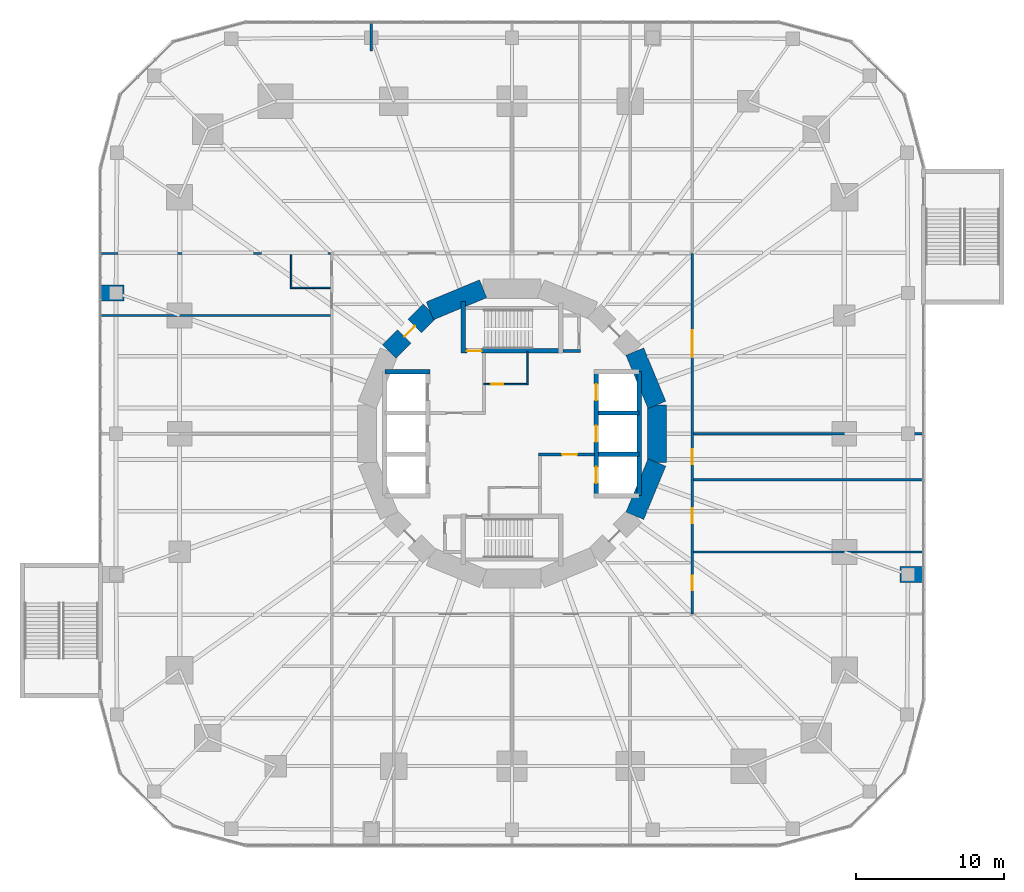
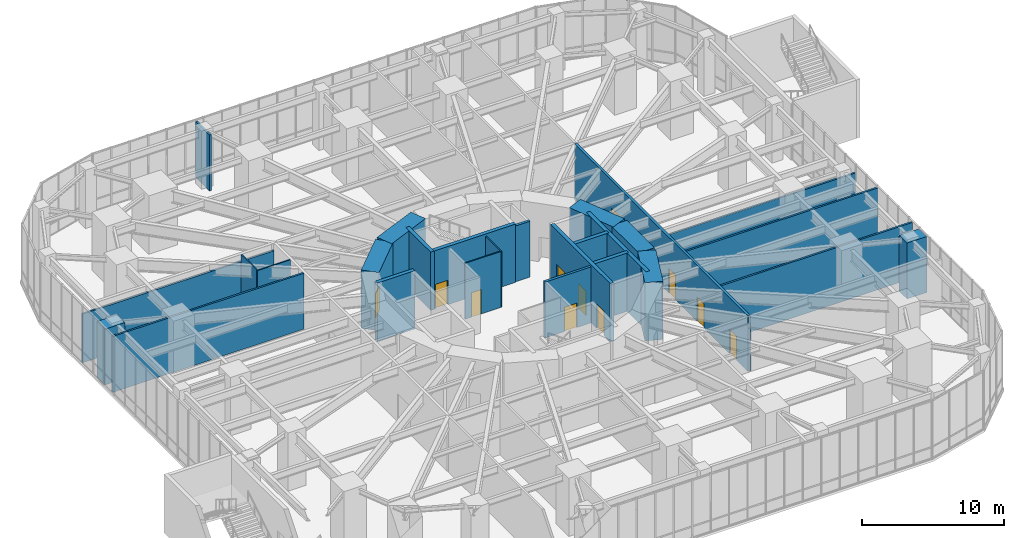
# One storey, part 21 of 24: 27 walls, 11 doors, 11 openings.
"""IFC4 building model written with IfcOpenShell, lengths in metres."""

from ifc_helpers import new_model, si_unit, direction, frame, frame_2d, origin, place, context, subcontext, project, spatial, rectangle, extrude, material, layer, layer_set, type_object, element, fill, save


model = new_model("IFC4")

# Units and contexts
model_context = context("Model", 3, precision=1e-05, world=origin(), true_north=direction((0.0, 1.0)))
body_context = subcontext(model_context, "Body", "Model", "MODEL_VIEW")
ifc_project = project(units=[si_unit("LENGTHUNIT", "METRE"), si_unit("AREAUNIT", "SQUARE_METRE"), si_unit("VOLUMEUNIT", "CUBIC_METRE"), si_unit("PLANEANGLEUNIT", "RADIAN"), si_unit("MASSUNIT", "GRAM", prefix="KILO")], contexts=[model_context])

# Site, building, storey
site_placement = place(None, origin())
site = spatial("IfcSite", under=ifc_project, at=site_placement, CompositionType="ELEMENT")
building_placement = place(site_placement, origin())
building = spatial("IfcBuilding", under=site, at=building_placement, Name="Nakasero Lantern House", CompositionType="ELEMENT")
storey_placement = place(building_placement, frame((0.0, 0.0, 6.0)))
storey = spatial("IfcBuildingStorey", under=building, at=storey_placement, Name="L01", CompositionType="ELEMENT", Elevation=6.0)

# Walls
ifc_material_1 = material(Name="Blockwork", Category="masonry")
ifc_layer_1 = layer(ifc_material_1, 1.10009765625)
ifc_layer_set_1 = layer_set([ifc_layer_1], Name="Column pier 1100")
wall_type_1 = type_object("IfcWallType", Name="Column pier 1100", PredefinedType="PARTITIONING", material=ifc_layer_set_1)
for number, where, z_axis, x_axis, name in (
    (1, (26.25, -9.52880859375, 0.0), (0.0, 0.0, 1.0), (1.0, 0.0, 0.0), "Column pier L01 PN0-00-2"),
    (2, (-26.25, 9.52880859375, 0.0), (0.0, 0.0, 1.0), (-1.0, 0.0, 0.0), "Column pier L01 PN2-00-2"),
):
    element("IfcWall", number, at=place(storey_placement, frame(where, z_axis=z_axis, x_axis=x_axis)), inside=storey, type_object=wall_type_1, Name=name, PredefinedType="PARTITIONING", context=body_context, shape_type="SweptSolid", body=[
        extrude(rectangle(XDim=1.60009765625, YDim=1.10009765625, at=frame_2d((0.800048828125, 0.0))), origin(), (0.0, 0.0, 1.0), 4.800048828125),
    ])

# Wall, openings, doors
ifc_material_2 = material(Name="Concrete C50/60", Category="concrete")
ifc_layer_2 = layer(ifc_material_2, 0.300048828125)
ifc_layer_set_2 = layer_set([ifc_layer_2], Name="Core inner wall 300")
wall_type_2 = type_object("IfcWallType", Name="Core inner wall 300", PredefinedType="SHEAR", material=ifc_layer_set_2)
wall_1_placement = place(storey_placement, frame((5.699951171875, -4.199951171875, 0.0), z_axis=(0.0, 0.0, 1.0), x_axis=(0.0, 1.0, 0.0)))
wall_1 = element("IfcWall", 3, at=wall_1_placement, inside=storey, type_object=wall_type_2, Name="Core inner wall L01 LE", PredefinedType="SHEAR", context=body_context, shape_type="SweptSolid", body=[
    extrude(rectangle(XDim=8.39990234375, YDim=0.300048828125, at=frame_2d((4.199951171875, 0.0))), origin(), (0.0, 0.0, 1.0), 5.0),
])
opening_1_placement = place(wall_1_placement, frame((0.85009765625, 0.0, 0.0)))
opening_1 = element("IfcOpeningElement", 4, at=opening_1_placement, cuts=wall_1, Name="Opening LD", PredefinedType="OPENING", context=body_context, shape_type="SweptSolid", body=[
    extrude(rectangle(XDim=1.10009765625, YDim=2.10009765625, at=frame_2d((0.550048828125, 1.050048828125))), frame((0.0, 0.169921875, 0.0), z_axis=(0.0, -1.0, 0.0), x_axis=(1.0, 0.0, 0.0)), (0.0, 0.0, 1.0), 0.340087890625),
])
opening_2_placement = place(wall_1_placement, frame((3.64990234375, 0.0, 0.0)))
opening_2 = element("IfcOpeningElement", 5, at=opening_2_placement, cuts=wall_1, Name="Opening LD", PredefinedType="OPENING", context=body_context, shape_type="SweptSolid", body=[
    extrude(rectangle(XDim=1.10009765625, YDim=2.10009765625, at=frame_2d((0.550048828125, 1.050048828125))), frame((0.0, 0.169921875, 0.0), z_axis=(0.0, -1.0, 0.0), x_axis=(1.0, 0.0, 0.0)), (0.0, 0.0, 1.0), 0.340087890625),
])
opening_3_placement = place(wall_1_placement, frame((6.449951171875, 0.0, 0.0)))
opening_3 = element("IfcOpeningElement", 6, at=opening_3_placement, cuts=wall_1, Name="Opening LD", PredefinedType="OPENING", context=body_context, shape_type="SweptSolid", body=[
    extrude(rectangle(XDim=1.10009765625, YDim=2.10009765625, at=frame_2d((0.550048828125, 1.050048828125))), frame((0.0, 0.169921875, 0.0), z_axis=(0.0, -1.0, 0.0), x_axis=(1.0, 0.0, 0.0)), (0.0, 0.0, 1.0), 0.340087890625),
])
ifc_material_3 = material(Name="Steel S355", Category="steel")
door_type_1 = type_object("IfcDoorType", Name="Lift landing door E120 1100", OperationType="SLIDING_TO_LEFT", PredefinedType="DOOR", material=ifc_material_3)
door_1_placement = place(opening_1_placement, origin())
door_1 = element("IfcDoor", 7, at=door_1_placement, inside=storey, type_object=door_type_1, Name="Lift landing door LE1", OperationType="SLIDING_TO_LEFT", OverallHeight=2.10009765625, OverallWidth=1.10009765625, PredefinedType="DOOR", context=body_context, shape_type="SweptSolid", body=[
    extrude(rectangle(XDim=1.10009765625, YDim=2.10009765625, at=frame_2d((0.550048828125, 1.050048828125))), frame((0.0, 0.02490234375, 0.0), z_axis=(0.0, -1.0, 0.0), x_axis=(1.0, 0.0, 0.0)), (0.0, 0.0, 1.0), 0.050048828125),
])
fill(opening_1, door_1)
door_2_placement = place(opening_2_placement, origin())
door_2 = element("IfcDoor", 8, at=door_2_placement, inside=storey, type_object=door_type_1, Name="Lift landing door LE2", OperationType="SLIDING_TO_LEFT", OverallHeight=2.10009765625, OverallWidth=1.10009765625, PredefinedType="DOOR", context=body_context, shape_type="SweptSolid", body=[
    extrude(rectangle(XDim=1.10009765625, YDim=2.10009765625, at=frame_2d((0.550048828125, 1.050048828125))), frame((0.0, 0.02490234375, 0.0), z_axis=(0.0, -1.0, 0.0), x_axis=(1.0, 0.0, 0.0)), (0.0, 0.0, 1.0), 0.050048828125),
])
fill(opening_2, door_2)
door_3_placement = place(opening_3_placement, origin())
door_3 = element("IfcDoor", 9, at=door_3_placement, inside=storey, type_object=door_type_1, Name="Lift landing door LE3", OperationType="SLIDING_TO_LEFT", OverallHeight=2.10009765625, OverallWidth=1.10009765625, PredefinedType="DOOR", context=body_context, shape_type="SweptSolid", body=[
    extrude(rectangle(XDim=1.10009765625, YDim=2.10009765625, at=frame_2d((0.550048828125, 1.050048828125))), frame((0.0, 0.02490234375, 0.0), z_axis=(0.0, -1.0, 0.0), x_axis=(1.0, 0.0, 0.0)), (0.0, 0.0, 1.0), 0.050048828125),
])
fill(opening_3, door_3)

# Walls
wall_2_placement = place(storey_placement, frame((-8.60009765625, 4.199951171875, 0.0), z_axis=(0.0, 0.0, 1.0), x_axis=(1.0, 0.0, 0.0)))
element("IfcWall", 10, at=wall_2_placement, inside=storey, type_object=wall_type_2, Name="Core inner wall L01 LWN", PredefinedType="SHEAR", context=body_context, shape_type="SweptSolid", body=[
    extrude(rectangle(XDim=3.050048828125, YDim=0.300048828125, at=frame_2d((1.52490234375, 0.0))), origin(), (0.0, 0.0, 1.0), 5.0),
])
wall_3_placement = place(storey_placement, frame((8.60009765625, -4.199951171875, 0.0), z_axis=(0.0, 0.0, 1.0), x_axis=(0.0, 1.0, 0.0)))
element("IfcWall", 11, at=wall_3_placement, inside=storey, type_object=wall_type_2, Name="Core inner wall L01 LEB", PredefinedType="SHEAR", context=body_context, shape_type="SweptSolid", body=[
    extrude(rectangle(XDim=8.39990234375, YDim=0.300048828125, at=frame_2d((4.199951171875, 0.0))), origin(), (0.0, 0.0, 1.0), 5.0),
])
for number, where, z_axis, x_axis, name in (
    (12, (5.85009765625, -1.39990234375, 0.0), (0.0, 0.0, 1.0), (1.0, 0.0, 0.0), "Core inner wall L01 LE1"),
    (13, (5.85009765625, 1.39990234375, 0.0), (0.0, 0.0, 1.0), (1.0, 0.0, 0.0), "Core inner wall L01 LE2"),
):
    element("IfcWall", number, at=place(storey_placement, frame(where, z_axis=z_axis, x_axis=x_axis)), inside=storey, type_object=wall_type_2, Name=name, PredefinedType="SHEAR", context=body_context, shape_type="SweptSolid", body=[
        extrude(rectangle(XDim=2.75, YDim=0.300048828125, at=frame_2d((1.375, 0.0))), origin(), (0.0, 0.0, 1.0), 5.0),
    ])

# Wall, opening, door
wall_4_placement = place(storey_placement, frame((-3.449951171875, 5.60009765625, 0.0), z_axis=(0.0, 0.0, 1.0), x_axis=(1.0, 0.0, 0.0)))
wall_4 = element("IfcWall", 14, at=wall_4_placement, inside=storey, type_object=wall_type_2, Name="Core inner wall L01 SN", PredefinedType="SHEAR", context=body_context, shape_type="SweptSolid", body=[
    extrude(rectangle(XDim=6.89990234375, YDim=0.300048828125, at=frame_2d((3.449951171875, 0.0))), origin(), (0.0, 0.0, 1.0), 5.0),
])
opening_4_placement = place(wall_4_placement, frame((0.39990234375, 0.0, 0.0)))
opening_4 = element("IfcOpeningElement", 15, at=opening_4_placement, cuts=wall_4, Name="Opening D05", PredefinedType="OPENING", context=body_context, shape_type="SweptSolid", body=[
    extrude(rectangle(XDim=1.0, YDim=2.10009765625, at=frame_2d((0.5, 1.050048828125))), frame((0.0, 0.169921875, 0.0), z_axis=(0.0, -1.0, 0.0), x_axis=(1.0, 0.0, 0.0)), (0.0, 0.0, 1.0), 0.340087890625),
])
ifc_material_4 = material(Name="Timber C24", Category="wood")
door_type_2 = type_object("IfcDoorType", Name="Core door FD60S 1000", OperationType="SINGLE_SWING_LEFT", PredefinedType="DOOR", material=ifc_material_4)
door_4_placement = place(opening_4_placement, origin())
door_4 = element("IfcDoor", 16, at=door_4_placement, inside=storey, type_object=door_type_2, Name="Door L01 D-ST1", OperationType="SINGLE_SWING_LEFT", OverallHeight=2.10009765625, OverallWidth=1.0, PredefinedType="DOOR", context=body_context, shape_type="SweptSolid", body=[
    extrude(rectangle(XDim=1.0, YDim=2.10009765625, at=frame_2d((0.5, 1.050048828125))), frame((0.0, 0.02490234375, 0.0), z_axis=(0.0, -1.0, 0.0), x_axis=(1.0, 0.0, 0.0)), (0.0, 0.0, 1.0), 0.050048828125),
])
fill(opening_4, door_4)

# Wall
wall_5_placement = place(storey_placement, frame((-3.300048828125, 5.449951171875, 0.0), z_axis=(0.0, 0.0, 1.0), x_axis=(0.0, 1.0, 0.0)))
element("IfcWall", 17, at=wall_5_placement, inside=storey, type_object=wall_type_2, Name="Core inner wall L01 SNW", PredefinedType="SHEAR", context=body_context, shape_type="SweptSolid", body=[
    extrude(rectangle(XDim=3.5, YDim=0.300048828125, at=frame_2d((1.75, 0.0))), origin(), (0.0, 0.0, 1.0), 5.0),
])

# Wall, opening, door
ifc_material_5 = material(Name="Blockwork", Category="masonry")
ifc_layer_3 = layer(ifc_material_5, 0.10009765625)
ifc_layer_set_3 = layer_set([ifc_layer_3], Name="Core room wall 100")
wall_type_3 = type_object("IfcWallType", Name="Core room wall 100", PredefinedType="PARTITIONING", material=ifc_layer_set_3)
wall_6_placement = place(storey_placement, frame((-1.89990234375, 3.35009765625, 0.0), z_axis=(0.0, 0.0, 1.0), x_axis=(1.0, 0.0, 0.0)))
wall_6 = element("IfcWall", 18, at=wall_6_placement, inside=storey, type_object=wall_type_3, Name="Core room wall L01 CR-NES", PredefinedType="PARTITIONING", context=body_context, shape_type="SweptSolid", body=[
    extrude(rectangle(XDim=3.0, YDim=0.10009765625, at=frame_2d((1.5, 0.0))), origin(), (0.0, 0.0, 1.0), 4.800048828125),
])
opening_5_placement = place(wall_6_placement, frame((0.5, 0.0, 0.0)))
opening_5 = element("IfcOpeningElement", 19, at=opening_5_placement, cuts=wall_6, Name="Opening D15", PredefinedType="OPENING", context=body_context, shape_type="SweptSolid", body=[
    extrude(rectangle(XDim=0.800048828125, YDim=2.10009765625, at=frame_2d((0.39990234375, 1.050048828125))), frame((0.0, 0.070068359375, 0.0), z_axis=(0.0, -1.0, 0.0), x_axis=(1.0, 0.0, 0.0)), (0.0, 0.0, 1.0), 0.14013671875),
])
ifc_material_6 = material(Name="Timber C24", Category="wood")
door_type_3 = type_object("IfcDoorType", Name="Cleaner's store door FD30S 800", OperationType="SINGLE_SWING_LEFT", PredefinedType="DOOR", material=ifc_material_6)
door_5_placement = place(opening_5_placement, origin())
door_5 = element("IfcDoor", 20, at=door_5_placement, inside=storey, type_object=door_type_3, Name="Door L01 D-CR-NE", OperationType="SINGLE_SWING_LEFT", OverallHeight=2.10009765625, OverallWidth=0.800048828125, PredefinedType="DOOR", context=body_context, shape_type="SweptSolid", body=[
    extrude(rectangle(XDim=0.800048828125, YDim=2.10009765625, at=frame_2d((0.39990234375, 1.050048828125))), frame((0.0, 0.02490234375, 0.0), z_axis=(0.0, -1.0, 0.0), x_axis=(1.0, 0.0, 0.0)), (0.0, 0.0, 1.0), 0.050048828125),
])
fill(opening_5, door_5)

# Walls
wall_7_placement = place(storey_placement, frame((1.050048828125, 3.300048828125, 0.0), z_axis=(0.0, 0.0, 1.0), x_axis=(0.0, 1.0, 0.0)))
element("IfcWall", 21, at=wall_7_placement, inside=storey, type_object=wall_type_3, Name="Core room wall L01 CR-NEE", PredefinedType="PARTITIONING", context=body_context, shape_type="SweptSolid", body=[
    extrude(rectangle(XDim=2.25, YDim=0.10009765625, at=frame_2d((1.125, 0.0))), origin(), (0.0, 0.0, 1.0), 4.800048828125),
])
ifc_material_7 = material(Name="Concrete C50/60", Category="concrete")
ifc_layer_4 = layer(ifc_material_7, 1.300048828125)
ifc_layer_set_4 = layer_set([ifc_layer_4], Name="Core wall 1300")
wall_type_4 = type_object("IfcWallType", Name="Core wall 1300", PredefinedType="SHEAR", material=ifc_layer_set_4)
for number, where, z_axis, x_axis, name in (
    (22, (9.807861328125, 1.950927734375, 0.0), (0.0, 0.0, 1.0), (-0.382690736062, 0.923876507187, 0.0), "Core wall L01 facet 1"),
    (23, (-1.950927734375, 9.807861328125, 0.0), (0.0, 0.0, 1.0), (-0.923876507187, -0.382690736062, 0.0), "Core wall L01 facet 5"),
):
    element("IfcWall", number, at=place(storey_placement, frame(where, z_axis=z_axis, x_axis=x_axis)), inside=storey, type_object=wall_type_4, Name=name, PredefinedType="SHEAR", context=body_context, shape_type="SweptSolid", body=[
        extrude(rectangle(XDim=3.90185546875, YDim=1.300048828125, at=frame_2d((1.950927734375, 0.0))), origin(), (0.0, 0.0, 1.0), 5.0),
    ])

# Wall, opening, door
wall_8_placement = place(storey_placement, frame((-5.5556640625, 8.314697265625, 0.0), z_axis=(0.0, 0.0, 1.0), x_axis=(-0.707106781187, -0.707106781187, 0.0)))
wall_8 = element("IfcWall", 24, at=wall_8_placement, inside=storey, type_object=wall_type_4, Name="Core wall L01 facet 6", PredefinedType="SHEAR", context=body_context, shape_type="SweptSolid", body=[
    extrude(rectangle(XDim=3.90185546875, YDim=1.300048828125, at=frame_2d((1.950927734375, 0.0))), origin(), (0.0, 0.0, 1.0), 5.0),
])
opening_6_placement = place(wall_8_placement, frame((1.450927734375, 0.0, 0.0)))
opening_6 = element("IfcOpeningElement", 25, at=opening_6_placement, cuts=wall_8, Name="Opening D05", PredefinedType="OPENING", context=body_context, shape_type="SweptSolid", body=[
    extrude(rectangle(XDim=1.0, YDim=2.10009765625, at=frame_2d((0.5, 1.050048828125))), frame((0.0, 0.669921875, 0.0), z_axis=(0.0, -1.0, 0.0), x_axis=(1.0, 0.0, 0.0)), (0.0, 0.0, 1.0), 1.340087890625),
])
door_6_placement = place(opening_6_placement, origin())
door_6 = element("IfcDoor", 26, at=door_6_placement, inside=storey, type_object=door_type_2, Name="Door L01 D-CORE06", OperationType="SINGLE_SWING_LEFT", OverallHeight=2.10009765625, OverallWidth=1.0, PredefinedType="DOOR", context=body_context, shape_type="SweptSolid", body=[
    extrude(rectangle(XDim=1.0, YDim=2.10009765625, at=frame_2d((0.5, 1.050048828125))), frame((0.0, 0.02490234375, 0.0), z_axis=(0.0, -1.0, 0.0), x_axis=(1.0, 0.0, 0.0)), (0.0, 0.0, 1.0), 0.050048828125),
])
fill(opening_6, door_6)

# Walls
for number, where, z_axis, x_axis, name in (
    (27, (8.314697265625, -5.5556640625, 0.0), (0.0, 0.0, 1.0), (0.382690736062, 0.923876507187, 0.0), "Core wall L01 facet 15"),
    (28, (9.807861328125, -1.950927734375, 0.0), (0.0, 0.0, 1.0), (0.0, 1.0, 0.0), "Core wall L01 facet 16"),
):
    element("IfcWall", number, at=place(storey_placement, frame(where, z_axis=z_axis, x_axis=x_axis)), inside=storey, type_object=wall_type_4, Name=name, PredefinedType="SHEAR", context=body_context, shape_type="SweptSolid", body=[
        extrude(rectangle(XDim=3.90185546875, YDim=1.300048828125, at=frame_2d((1.950927734375, 0.0))), origin(), (0.0, 0.0, 1.0), 5.0),
    ])

# Wall, openings, doors
ifc_material_8 = material(Name="Blockwork", Category="masonry")
ifc_layer_5 = layer(ifc_material_8, 0.199951171875)
ifc_layer_set_5 = layer_set([ifc_layer_5], Name="Corridor wall 200")
wall_type_5 = type_object("IfcWallType", Name="Corridor wall 200", PredefinedType="PARTITIONING", material=ifc_layer_set_5)
wall_9_placement = place(storey_placement, frame((12.199951171875, -12.199951171875, 0.0), z_axis=(0.0, 0.0, 1.0), x_axis=(0.0, 1.0, 0.0)))
wall_9 = element("IfcWall", 29, at=wall_9_placement, inside=storey, type_object=wall_type_5, Name="Corridor wall L01 CW0", PredefinedType="PARTITIONING", context=body_context, shape_type="SweptSolid", body=[
    extrude(rectangle(XDim=24.39990234375, YDim=0.199951171875, at=frame_2d((12.199951171875, 0.0))), origin(), (0.0, 0.0, 1.0), 4.800048828125),
])
opening_7_placement = place(wall_9_placement, frame((1.60009765625, 0.0, 0.0)))
opening_7 = element("IfcOpeningElement", 30, at=opening_7_placement, cuts=wall_9, Name="Opening D07", PredefinedType="OPENING", context=body_context, shape_type="SweptSolid", body=[
    extrude(rectangle(XDim=1.0, YDim=2.10009765625, at=frame_2d((0.5, 1.050048828125))), frame((0.0, 0.119873046875, 0.0), z_axis=(0.0, -1.0, 0.0), x_axis=(1.0, 0.0, 0.0)), (0.0, 0.0, 1.0), 0.239990234375),
])
opening_8_placement = place(wall_9_placement, frame((6.139892578125, 0.0, 0.0)))
opening_8 = element("IfcOpeningElement", 31, at=opening_8_placement, cuts=wall_9, Name="Opening D07", PredefinedType="OPENING", context=body_context, shape_type="SweptSolid", body=[
    extrude(rectangle(XDim=1.0, YDim=2.10009765625, at=frame_2d((0.5, 1.050048828125))), frame((0.0, 0.119873046875, 0.0), z_axis=(0.0, -1.0, 0.0), x_axis=(1.0, 0.0, 0.0)), (0.0, 0.0, 1.0), 0.239990234375),
])
opening_9_placement = place(wall_9_placement, frame((10.139892578125, 0.0, 0.0)))
opening_9 = element("IfcOpeningElement", 32, at=opening_9_placement, cuts=wall_9, Name="Opening D07", PredefinedType="OPENING", context=body_context, shape_type="SweptSolid", body=[
    extrude(rectangle(XDim=1.0, YDim=2.10009765625, at=frame_2d((0.5, 1.050048828125))), frame((0.0, 0.119873046875, 0.0), z_axis=(0.0, -1.0, 0.0), x_axis=(1.0, 0.0, 0.0)), (0.0, 0.0, 1.0), 0.239990234375),
])
opening_10_placement = place(wall_9_placement, frame((17.39990234375, 0.0, 0.0)))
opening_10 = element("IfcOpeningElement", 33, at=opening_10_placement, cuts=wall_9, Name="Opening D12", PredefinedType="OPENING", context=body_context, shape_type="SweptSolid", body=[
    extrude(rectangle(XDim=1.800048828125, YDim=2.39990234375, at=frame_2d((0.89990234375, 1.199951171875))), frame((0.0, 0.119873046875, 0.0), z_axis=(0.0, -1.0, 0.0), x_axis=(1.0, 0.0, 0.0)), (0.0, 0.0, 1.0), 0.239990234375),
])
ifc_material_9 = material(Name="Timber C24", Category="wood")
door_type_4 = type_object("IfcDoorType", Name="Room door FD30S 1000", OperationType="SINGLE_SWING_LEFT", PredefinedType="DOOR", material=ifc_material_9)
door_7_placement = place(opening_7_placement, origin())
door_7 = element("IfcDoor", 34, at=door_7_placement, inside=storey, type_object=door_type_4, Name="Door L01 D0-00", OperationType="SINGLE_SWING_LEFT", OverallHeight=2.10009765625, OverallWidth=1.0, PredefinedType="DOOR", context=body_context, shape_type="SweptSolid", body=[
    extrude(rectangle(XDim=1.0, YDim=2.10009765625, at=frame_2d((0.5, 1.050048828125))), frame((0.0, 0.02490234375, 0.0), z_axis=(0.0, -1.0, 0.0), x_axis=(1.0, 0.0, 0.0)), (0.0, 0.0, 1.0), 0.050048828125),
])
fill(opening_7, door_7)
door_8_placement = place(opening_8_placement, origin())
door_8 = element("IfcDoor", 35, at=door_8_placement, inside=storey, type_object=door_type_4, Name="Door L01 D0-01", OperationType="SINGLE_SWING_LEFT", OverallHeight=2.10009765625, OverallWidth=1.0, PredefinedType="DOOR", context=body_context, shape_type="SweptSolid", body=[
    extrude(rectangle(XDim=1.0, YDim=2.10009765625, at=frame_2d((0.5, 1.050048828125))), frame((0.0, 0.02490234375, 0.0), z_axis=(0.0, -1.0, 0.0), x_axis=(1.0, 0.0, 0.0)), (0.0, 0.0, 1.0), 0.050048828125),
])
fill(opening_8, door_8)
door_9_placement = place(opening_9_placement, origin())
door_9 = element("IfcDoor", 36, at=door_9_placement, inside=storey, type_object=door_type_4, Name="Door L01 D0-02", OperationType="SINGLE_SWING_LEFT", OverallHeight=2.10009765625, OverallWidth=1.0, PredefinedType="DOOR", context=body_context, shape_type="SweptSolid", body=[
    extrude(rectangle(XDim=1.0, YDim=2.10009765625, at=frame_2d((0.5, 1.050048828125))), frame((0.0, 0.02490234375, 0.0), z_axis=(0.0, -1.0, 0.0), x_axis=(1.0, 0.0, 0.0)), (0.0, 0.0, 1.0), 0.050048828125),
])
fill(opening_9, door_9)
ifc_material_10 = material(Name="Timber C24", Category="wood")
door_type_5 = type_object("IfcDoorType", Name="Room doors FD30S 1800", OperationType="DOUBLE_DOOR_SINGLE_SWING", PredefinedType="DOOR", material=ifc_material_10)
door_10_placement = place(opening_10_placement, origin())
door_10 = element("IfcDoor", 37, at=door_10_placement, inside=storey, type_object=door_type_5, Name="Door L01 D0-03", OperationType="DOUBLE_DOOR_SINGLE_SWING", OverallHeight=2.39990234375, OverallWidth=1.800048828125, PredefinedType="DOOR", context=body_context, shape_type="SweptSolid", body=[
    extrude(rectangle(XDim=1.800048828125, YDim=2.39990234375, at=frame_2d((0.89990234375, 1.199951171875))), frame((0.0, 0.02490234375, 0.0), z_axis=(0.0, -1.0, 0.0), x_axis=(1.0, 0.0, 0.0)), (0.0, 0.0, 1.0), 0.050048828125),
])
fill(opening_10, door_10)

# Walls
ifc_material_11 = material(Name="Blockwork", Category="masonry")
ifc_layer_6 = layer(ifc_material_11, 0.10009765625)
ifc_layer_set_6 = layer_set([ifc_layer_6], Name="En-suite wall 100")
wall_type_6 = type_object("IfcWallType", Name="En-suite wall 100", PredefinedType="PARTITIONING", material=ifc_layer_set_6)
wall_10_placement = place(storey_placement, frame((-12.300048828125, 9.875, 0.0), z_axis=(0.0, 0.0, 1.0), x_axis=(-1.0, 0.0, 0.0)))
element("IfcWall", 38, at=wall_10_placement, inside=storey, type_object=wall_type_6, Name="En-suite wall L01 PA2-00", PredefinedType="PARTITIONING", context=body_context, shape_type="SweptSolid", body=[
    extrude(rectangle(XDim=2.699951171875, YDim=0.10009765625, at=frame_2d((1.35009765625, 0.0))), origin(), (0.0, 0.0, 1.0), 4.800048828125),
])
wall_11_placement = place(storey_placement, frame((-14.949951171875, 12.125, 0.0), z_axis=(0.0, 0.0, 1.0), x_axis=(0.0, -1.0, 0.0)))
element("IfcWall", 39, at=wall_11_placement, inside=storey, type_object=wall_type_6, Name="En-suite wall L01 PB2-00", PredefinedType="PARTITIONING", context=body_context, shape_type="SweptSolid", body=[
    extrude(rectangle(XDim=2.300048828125, YDim=0.10009765625, at=frame_2d((1.14990234375, 0.0))), origin(), (0.0, 0.0, 1.0), 4.800048828125),
])

# Wall, opening, door
ifc_material_12 = material(Name="Blockwork", Category="masonry")
ifc_layer_7 = layer(ifc_material_12, 0.199951171875)
ifc_layer_set_7 = layer_set([ifc_layer_7], Name="Fire lobby wall 200")
wall_type_7 = type_object("IfcWallType", Name="Fire lobby wall 200", PredefinedType="PARTITIONING", material=ifc_layer_set_7)
wall_12_placement = place(storey_placement, frame((5.60009765625, -1.39990234375, 0.0), z_axis=(0.0, 0.0, 1.0), x_axis=(-1.0, 0.0, 0.0)))
wall_12 = element("IfcWall", 40, at=wall_12_placement, inside=storey, type_object=wall_type_7, Name="Fire lobby wall L01 W-FL2N", PredefinedType="PARTITIONING", context=body_context, shape_type="SweptSolid", body=[
    extrude(rectangle(XDim=3.800048828125, YDim=0.199951171875, at=frame_2d((1.89990234375, 0.0))), origin(), (0.0, 0.0, 1.0), 4.800048828125),
])
opening_11_placement = place(wall_12_placement, frame((1.199951171875, 0.0, 0.0)))
opening_11 = element("IfcOpeningElement", 41, at=opening_11_placement, cuts=wall_12, Name="Opening D05", PredefinedType="OPENING", context=body_context, shape_type="SweptSolid", body=[
    extrude(rectangle(XDim=1.0, YDim=2.10009765625, at=frame_2d((0.5, 1.050048828125))), frame((0.0, 0.119873046875, 0.0), z_axis=(0.0, -1.0, 0.0), x_axis=(1.0, 0.0, 0.0)), (0.0, 0.0, 1.0), 0.239990234375),
])
door_11_placement = place(opening_11_placement, origin())
door_11 = element("IfcDoor", 42, at=door_11_placement, inside=storey, type_object=door_type_2, Name="Door L01 D-FL2", OperationType="SINGLE_SWING_LEFT", OverallHeight=2.10009765625, OverallWidth=1.0, PredefinedType="DOOR", context=body_context, shape_type="SweptSolid", body=[
    extrude(rectangle(XDim=1.0, YDim=2.10009765625, at=frame_2d((0.5, 1.050048828125))), frame((0.0, 0.02490234375, 0.0), z_axis=(0.0, -1.0, 0.0), x_axis=(1.0, 0.0, 0.0)), (0.0, 0.0, 1.0), 0.050048828125),
])
fill(opening_11, door_11)

# Walls
wall_13_placement = place(storey_placement, frame((3.449951171875, 5.60009765625, 0.0), z_axis=(0.0, 0.0, 1.0), x_axis=(1.0, 0.0, 0.0)))
element("IfcWall", 43, at=wall_13_placement, inside=storey, type_object=wall_type_7, Name="Fire lobby wall L01 W-RS1S", PredefinedType="PARTITIONING", context=body_context, shape_type="SweptSolid", body=[
    extrude(rectangle(XDim=1.199951171875, YDim=0.199951171875, at=frame_2d((0.60009765625, 0.0))), origin(), (0.0, 0.0, 1.0), 4.800048828125),
])
ifc_material_13 = material(Name="Blockwork", Category="masonry")
ifc_layer_8 = layer(ifc_material_13, 0.14990234375)
ifc_layer_set_8 = layer_set([ifc_layer_8], Name="Party wall 150")
wall_type_8 = type_object("IfcWallType", Name="Party wall 150", PredefinedType="PARTITIONING", material=ifc_layer_set_8)
for number, where, z_axis, x_axis, name in (
    (44, (12.300048828125, -8.0, 0.0), (0.0, 0.0, 1.0), (1.0, 0.0, 0.0), "Party wall L01 PW0-01"),
    (45, (12.300048828125, -3.1201171875, 0.0), (0.0, 0.0, 1.0), (1.0, 0.0, 0.0), "Party wall L01 PW0-02"),
):
    element("IfcWall", number, at=place(storey_placement, frame(where, z_axis=z_axis, x_axis=x_axis)), inside=storey, type_object=wall_type_8, Name=name, PredefinedType="PARTITIONING", context=body_context, shape_type="SweptSolid", body=[
        extrude(rectangle(XDim=15.550048828125, YDim=0.14990234375, at=frame_2d((7.77490234375, 0.0))), origin(), (0.0, 0.0, 1.0), 4.800048828125),
    ])
wall_14_placement = place(storey_placement, frame((12.300048828125, 0.0, 0.0), z_axis=(0.0, 0.0, 1.0), x_axis=(1.0, 0.0, 0.0)))
element("IfcWall", 46, at=wall_14_placement, inside=storey, type_object=wall_type_8, Name="Party wall L01 PW0-03", PredefinedType="PARTITIONING", context=body_context, shape_type="SweptSolid", body=[
    extrude(rectangle(XDim=15.550048828125, YDim=0.14990234375, at=frame_2d((7.77490234375, 0.0))), origin(), (0.0, 0.0, 1.0), 4.197509765625),
])
wall_15_placement = place(storey_placement, frame((-9.52880859375, 25.89990234375, 0.0), z_axis=(0.0, 0.0, 1.0), x_axis=(0.0, 1.0, 0.0)))
element("IfcWall", 47, at=wall_15_placement, inside=storey, type_object=wall_type_8, Name="Party wall L01 PN1-03-4", PredefinedType="PARTITIONING", context=body_context, shape_type="SweptSolid", body=[
    extrude(rectangle(XDim=1.9501953125, YDim=0.14990234375, at=frame_2d((0.97509765625, 0.0))), origin(), (0.0, 0.0, 1.0), 4.800048828125),
])
wall_16_placement = place(storey_placement, frame((-12.300048828125, 12.199951171875, 0.0), z_axis=(0.0, 0.0, 1.0), x_axis=(-1.0, 0.0, 0.0)))
element("IfcWall", 48, at=wall_16_placement, inside=storey, type_object=wall_type_8, Name="Party wall L01 PW2-00", PredefinedType="PARTITIONING", context=body_context, shape_type="SweptSolid", body=[
    extrude(rectangle(XDim=15.550048828125, YDim=0.14990234375, at=frame_2d((7.77490234375, 0.0))), origin(), (0.0, 0.0, 1.0), 4.187744140625),
])
wall_17_placement = place(storey_placement, frame((-12.300048828125, 8.0, 0.0), z_axis=(0.0, 0.0, 1.0), x_axis=(-1.0, 0.0, 0.0)))
element("IfcWall", 49, at=wall_17_placement, inside=storey, type_object=wall_type_8, Name="Party wall L01 PW2-01", PredefinedType="PARTITIONING", context=body_context, shape_type="SweptSolid", body=[
    extrude(rectangle(XDim=15.550048828125, YDim=0.14990234375, at=frame_2d((7.77490234375, 0.0))), origin(), (0.0, 0.0, 1.0), 4.800048828125),
])

save(model, "model.ifc")
